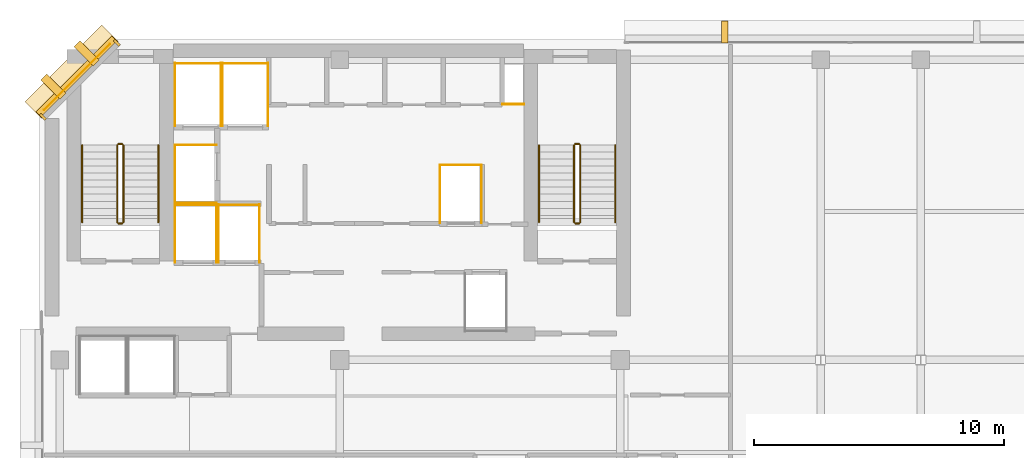
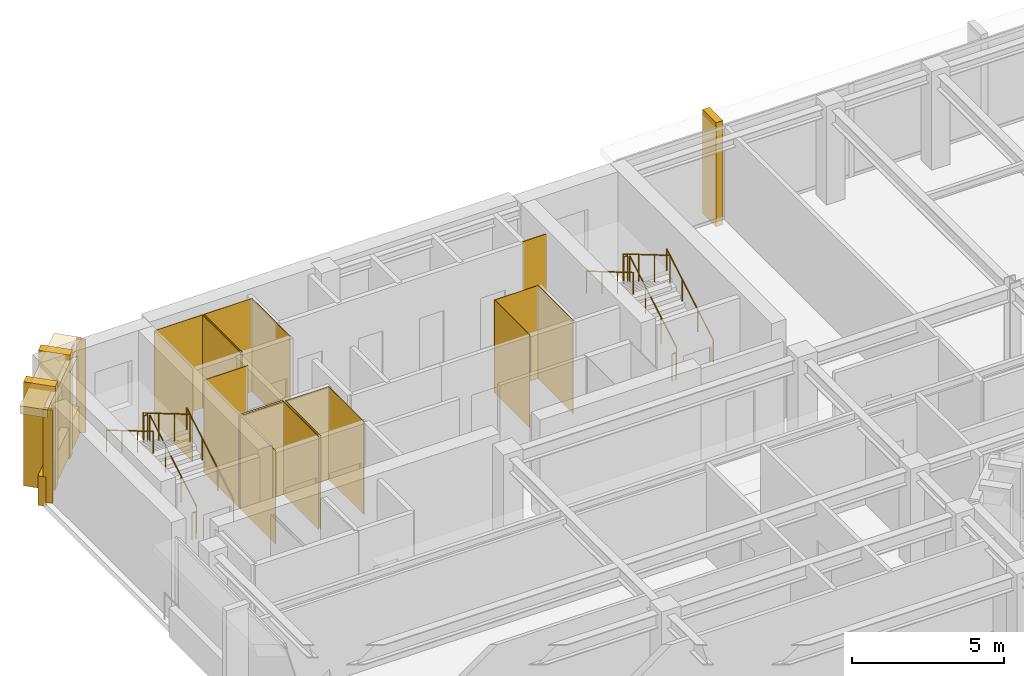
# One storey, part 10 of 11: 27 coverings, 12 railings.
"""IFC4 building model written with IfcOpenShell, lengths in metres."""

from ifc_helpers import new_model, si_unit, direction, frame, origin, origin_2d, place, context, subcontext, project, spatial, polyline, rectangle, circle, outline, extrude, material, layer, layer_set, type_object, element, save


model = new_model("IFC4")

# Units and contexts
model_context = context("Model", 3, precision=1e-05, world=origin(), true_north=direction((0.0, 1.0)))
body_context = subcontext(model_context, "Body", "Model", "MODEL_VIEW")
ifc_project = project(units=[si_unit("LENGTHUNIT", "METRE"), si_unit("AREAUNIT", "SQUARE_METRE"), si_unit("VOLUMEUNIT", "CUBIC_METRE"), si_unit("PLANEANGLEUNIT", "RADIAN"), si_unit("MASSUNIT", "GRAM", prefix="KILO")], contexts=[model_context])

# Site, building, storey
site_placement = place(None, origin())
site = spatial("IfcSite", under=ifc_project, at=site_placement, CompositionType="ELEMENT")
building_placement = place(site_placement, origin())
building = spatial("IfcBuilding", under=site, at=building_placement, Name="Kefirva Bronze Tower", CompositionType="ELEMENT")
storey_placement = place(building_placement, frame((0.0, 0.0, 319.77001953125)))
storey = spatial("IfcBuildingStorey", under=building, at=storey_placement, Name="L78", CompositionType="ELEMENT", Elevation=319.77001953125)

# Coverings
ifc_material_1 = material(Name="Bronze anodised aluminium", Category="aluminium")
ifc_layer_1 = layer(ifc_material_1, 0.02001953125, Name="Bronze anodised aluminium")
ifc_layer_set_1 = layer_set([ifc_layer_1], Name="Bronze anodised aluminium")
covering_type_1 = type_object("IfcCoveringType", Name="Anodised Bronze Spandrel Cladding 20mm", PredefinedType="CLADDING", material=ifc_layer_set_1)
covering_1_placement = place(storey_placement, frame((1.492919921875, 44.507080078125, 3.320068359375), z_axis=(0.0, 0.0, 1.0), x_axis=(-0.707106781187, -0.707106781187, 0.0)))
element("IfcCovering", 1, at=covering_1_placement, inside=storey, type_object=covering_type_1, Name="L78 Bronze Spandrel Cladding 6", PredefinedType="CLADDING", context=body_context, shape_type="SweptSolid", body=[
    extrude(rectangle(XDim=3.719482421875, YDim=0.02001953125, at=origin_2d()), origin(), (0.0, 0.0, 1.0), 0.39990234375),
])
for number, where, z_axis, x_axis, name in (
    (2, (3.08837890625, 45.862060546875, 0.0), (0.0, 0.0, 1.0), (-0.707106781187, -0.707106781187, 0.0), "L78 Facade Joint Closure Panel 6S"),
    (3, (0.137939453125, 42.91162109375, 0.0), (0.0, 0.0, 1.0), (-0.707106781187, -0.707106781187, 0.0), "L78 Facade Joint Closure Panel 6E"),
):
    element("IfcCovering", number, at=place(storey_placement, frame(where, z_axis=z_axis, x_axis=x_axis)), inside=storey, type_object=covering_type_1, Name=name, PredefinedType="CLADDING", context=body_context, shape_type="SweptSolid", body=[
        extrude(rectangle(XDim=0.10009765625, YDim=0.320068359375, at=origin_2d()), origin(), (0.0, 0.0, 1.0), 3.739990234375),
    ])
covering_2_placement = place(storey_placement, frame((1.4716796875, 44.5283203125, -0.16015625), z_axis=(0.0, 0.0, 1.0), x_axis=(-0.707106781187, -0.707106781187, 0.0)))
element("IfcCovering", 4, at=covering_2_placement, inside=storey, type_object=covering_type_1, Name="L78 Streamline Horizontal Spandrel Band 9", PredefinedType="CLADDING", context=body_context, shape_type="SweptSolid", body=[
    extrude(rectangle(XDim=4.28271484375, YDim=0.280029296875, at=origin_2d()), origin(), (0.0, 0.0, 1.0), 1.179931640625),
])
covering_3_placement = place(storey_placement, origin())
element("IfcCovering", 5, at=covering_3_placement, inside=storey, type_object=covering_type_1, Name="L78 Lift FF1 Hoistway Liner N", PredefinedType="CLADDING", context=body_context, shape_type="SweptSolid", body=[
    extrude(outline(polyline([(5.39990234375, 39.389892578125), (7.080078125, 39.389892578125), (7.080078125, 39.409912109375), (5.39990234375, 39.409912109375), (5.39990234375, 39.389892578125)])), origin(), (0.0, 0.0, 1.0), 3.739990234375),
])
covering_4_placement = place(storey_placement, origin())
element("IfcCovering", 6, at=covering_4_placement, inside=storey, type_object=covering_type_1, Name="L78 Lift FF1 Hoistway Liner W", PredefinedType="CLADDING", context=body_context, shape_type="SweptSolid", body=[
    extrude(outline(polyline([(5.409912109375, 37.080078125), (5.429931640625, 37.080078125), (5.429931640625, 39.419921875), (5.409912109375, 39.419921875), (5.409912109375, 37.080078125)])), origin(), (0.0, 0.0, 1.0), 3.739990234375),
])
covering_5_placement = place(storey_placement, origin())
element("IfcCovering", 7, at=covering_5_placement, inside=storey, type_object=covering_type_1, Name="L78 Lift FF1 Hoistway Liner E", PredefinedType="CLADDING", context=body_context, shape_type="SweptSolid", body=[
    extrude(outline(polyline([(7.050048828125, 37.080078125), (7.070068359375, 37.080078125), (7.070068359375, 39.419921875), (7.050048828125, 39.419921875), (7.050048828125, 37.080078125)])), origin(), (0.0, 0.0, 1.0), 3.739990234375),
])
covering_6_placement = place(storey_placement, origin())
element("IfcCovering", 8, at=covering_6_placement, inside=storey, type_object=covering_type_1, Name="L78 Lift FF2 Hoistway Liner N", PredefinedType="CLADDING", context=body_context, shape_type="SweptSolid", body=[
    extrude(outline(polyline([(7.1201171875, 39.389892578125), (8.800048828125, 39.389892578125), (8.800048828125, 39.409912109375), (7.1201171875, 39.409912109375), (7.1201171875, 39.389892578125)])), origin(), (0.0, 0.0, 1.0), 3.739990234375),
])
covering_7_placement = place(storey_placement, origin())
element("IfcCovering", 9, at=covering_7_placement, inside=storey, type_object=covering_type_1, Name="L78 Lift FF2 Hoistway Liner W", PredefinedType="CLADDING", context=body_context, shape_type="SweptSolid", body=[
    extrude(outline(polyline([(7.1298828125, 37.080078125), (7.14990234375, 37.080078125), (7.14990234375, 39.419921875), (7.1298828125, 39.419921875), (7.1298828125, 37.080078125)])), origin(), (0.0, 0.0, 1.0), 3.739990234375),
])
covering_8_placement = place(storey_placement, origin())
element("IfcCovering", 10, at=covering_8_placement, inside=storey, type_object=covering_type_1, Name="L78 Lift FF2 Hoistway Liner E", PredefinedType="CLADDING", context=body_context, shape_type="SweptSolid", body=[
    extrude(outline(polyline([(8.77001953125, 37.080078125), (8.7900390625, 37.080078125), (8.7900390625, 39.419921875), (8.77001953125, 39.419921875), (8.77001953125, 37.080078125)])), origin(), (0.0, 0.0, 1.0), 3.739990234375),
])
covering_9_placement = place(storey_placement, origin())
element("IfcCovering", 11, at=covering_9_placement, inside=storey, type_object=covering_type_1, Name="L78 Lift SV1 Hoistway Liner N", PredefinedType="CLADDING", context=body_context, shape_type="SweptSolid", body=[
    extrude(outline(polyline([(5.39990234375, 45.0400390625), (7.260009765625, 45.0400390625), (7.260009765625, 45.06005859375), (5.39990234375, 45.06005859375), (5.39990234375, 45.0400390625)])), origin(), (0.0, 0.0, 1.0), 3.739990234375),
])
covering_10_placement = place(storey_placement, origin())
element("IfcCovering", 12, at=covering_10_placement, inside=storey, type_object=covering_type_1, Name="L78 Lift SV1 Hoistway Liner W", PredefinedType="CLADDING", context=body_context, shape_type="SweptSolid", body=[
    extrude(outline(polyline([(5.409912109375, 42.530029296875), (5.429931640625, 42.530029296875), (5.429931640625, 45.070068359375), (5.409912109375, 45.070068359375), (5.409912109375, 42.530029296875)])), origin(), (0.0, 0.0, 1.0), 3.739990234375),
])
covering_11_placement = place(storey_placement, origin())
element("IfcCovering", 13, at=covering_11_placement, inside=storey, type_object=covering_type_1, Name="L78 Lift SV1 Hoistway Liner E", PredefinedType="CLADDING", context=body_context, shape_type="SweptSolid", body=[
    extrude(outline(polyline([(7.22998046875, 42.530029296875), (7.25, 42.530029296875), (7.25, 45.070068359375), (7.22998046875, 45.070068359375), (7.22998046875, 42.530029296875)])), origin(), (0.0, 0.0, 1.0), 3.739990234375),
])
covering_12_placement = place(storey_placement, origin())
element("IfcCovering", 14, at=covering_12_placement, inside=storey, type_object=covering_type_1, Name="L78 Lift SV2 Hoistway Liner N", PredefinedType="CLADDING", context=body_context, shape_type="SweptSolid", body=[
    extrude(outline(polyline([(7.280029296875, 45.0400390625), (9.139892578125, 45.0400390625), (9.139892578125, 45.06005859375), (7.280029296875, 45.06005859375), (7.280029296875, 45.0400390625)])), origin(), (0.0, 0.0, 1.0), 3.739990234375),
])
covering_13_placement = place(storey_placement, origin())
element("IfcCovering", 15, at=covering_13_placement, inside=storey, type_object=covering_type_1, Name="L78 Lift SV2 Hoistway Liner W", PredefinedType="CLADDING", context=body_context, shape_type="SweptSolid", body=[
    extrude(outline(polyline([(7.2900390625, 42.530029296875), (7.31005859375, 42.530029296875), (7.31005859375, 45.070068359375), (7.2900390625, 45.070068359375), (7.2900390625, 42.530029296875)])), origin(), (0.0, 0.0, 1.0), 3.739990234375),
])
covering_14_placement = place(storey_placement, origin())
element("IfcCovering", 16, at=covering_14_placement, inside=storey, type_object=covering_type_1, Name="L78 Lift SV2 Hoistway Liner E", PredefinedType="CLADDING", context=body_context, shape_type="SweptSolid", body=[
    extrude(outline(polyline([(9.110107421875, 42.530029296875), (9.1298828125, 42.530029296875), (9.1298828125, 45.070068359375), (9.110107421875, 45.070068359375), (9.110107421875, 42.530029296875)])), origin(), (0.0, 0.0, 1.0), 3.739990234375),
])
covering_15_placement = place(storey_placement, origin())
element("IfcCovering", 17, at=covering_15_placement, inside=storey, type_object=covering_type_1, Name="L78 Lift HP2 Hoistway Liner N", PredefinedType="CLADDING", context=body_context, shape_type="SweptSolid", body=[
    extrude(outline(polyline([(15.97998046875, 40.969970703125), (17.669921875, 40.969970703125), (17.669921875, 40.989990234375), (15.97998046875, 40.989990234375), (15.97998046875, 40.969970703125)])), origin(), (0.0, 0.0, 1.0), 3.739990234375),
])
covering_16_placement = place(storey_placement, origin())
element("IfcCovering", 18, at=covering_16_placement, inside=storey, type_object=covering_type_1, Name="L78 Lift HP2 Hoistway Liner W", PredefinedType="CLADDING", context=body_context, shape_type="SweptSolid", body=[
    extrude(outline(polyline([(15.989990234375, 38.659912109375), (16.010009765625, 38.659912109375), (16.010009765625, 41.0), (15.989990234375, 41.0), (15.989990234375, 38.659912109375)])), origin(), (0.0, 0.0, 1.0), 3.739990234375),
])
covering_17_placement = place(storey_placement, origin())
element("IfcCovering", 19, at=covering_17_placement, inside=storey, type_object=covering_type_1, Name="L78 Lift HP2 Hoistway Liner E", PredefinedType="CLADDING", context=body_context, shape_type="SweptSolid", body=[
    extrude(outline(polyline([(17.639892578125, 38.659912109375), (17.659912109375, 38.659912109375), (17.659912109375, 41.0), (17.639892578125, 41.0), (17.639892578125, 38.659912109375)])), origin(), (0.0, 0.0, 1.0), 3.739990234375),
])
covering_18_placement = place(storey_placement, origin())
element("IfcCovering", 20, at=covering_18_placement, inside=storey, type_object=covering_type_1, Name="L78 Lift HP3 Hoistway Liner N", PredefinedType="CLADDING", context=body_context, shape_type="SweptSolid", body=[
    extrude(outline(polyline([(5.39990234375, 41.77001953125), (7.080078125, 41.77001953125), (7.080078125, 41.7900390625), (5.39990234375, 41.7900390625), (5.39990234375, 41.77001953125)])), origin(), (0.0, 0.0, 1.0), 3.739990234375),
])
covering_19_placement = place(storey_placement, origin())
element("IfcCovering", 21, at=covering_19_placement, inside=storey, type_object=covering_type_1, Name="L78 Lift HP3 Hoistway Liner S", PredefinedType="CLADDING", context=body_context, shape_type="SweptSolid", body=[
    extrude(outline(polyline([(5.39990234375, 39.469970703125), (7.080078125, 39.469970703125), (7.080078125, 39.489990234375), (5.39990234375, 39.489990234375), (5.39990234375, 39.469970703125)])), origin(), (0.0, 0.0, 1.0), 3.739990234375),
])
covering_20_placement = place(storey_placement, origin())
element("IfcCovering", 22, at=covering_20_placement, inside=storey, type_object=covering_type_1, Name="L78 Lift HP3 Hoistway Liner W", PredefinedType="CLADDING", context=body_context, shape_type="SweptSolid", body=[
    extrude(outline(polyline([(5.409912109375, 39.4599609375), (5.429931640625, 39.4599609375), (5.429931640625, 41.800048828125), (5.409912109375, 41.800048828125), (5.409912109375, 39.4599609375)])), origin(), (0.0, 0.0, 1.0), 3.739990234375),
])
covering_21_placement = place(storey_placement, origin())
element("IfcCovering", 23, at=covering_21_placement, inside=storey, type_object=covering_type_1, Name="L78 Core MEP Riser Shaft Liner South", PredefinedType="CLADDING", context=body_context, shape_type="SweptSolid", body=[
    extrude(outline(polyline([(18.47998046875, 43.39990234375), (19.360107421875, 43.39990234375), (19.360107421875, 43.429931640625), (18.47998046875, 43.429931640625), (18.47998046875, 43.39990234375)])), origin(), (0.0, 0.0, 1.0), 3.739990234375),
])

# Railings
ifc_material_2 = material(Name="Stainless steel 316", Category="steel")
railing_type_1 = type_object("IfcRailingType", Name="Interior Stair Guardrail 1100mm", PredefinedType="GUARDRAIL", material=ifc_material_2)
railing_1_placement = place(storey_placement, frame((3.35009765625, 38.699951171875, 0.1650390625)))
element("IfcRailing", 24, at=railing_1_placement, inside=storey, type_object=railing_type_1, Name="L78 ST-1 stair guard 1", PredefinedType="GUARDRAIL", context=body_context, shape_type="SweptSolid", body=[
    extrude(circle(Radius=0.02392578125, at=origin_2d()), frame((0.0, 0.0, 1.076171875), z_axis=(0.0, 0.861551262678, 0.507670583921), x_axis=(-1.0, 0.0, 0.0)), (0.0, 0.0, 1.0), 3.574951171875),
    extrude(circle(Radius=0.02099609375, at=origin_2d()), origin(), (0.0, 0.0, 1.0), 1.052001953125),
    extrude(circle(Radius=0.02099609375, at=origin_2d()), frame((0.0, 1.026611328125, 0.60498046875)), (0.0, 0.0, 1.0), 1.052001953125),
    extrude(circle(Radius=0.02099609375, at=origin_2d()), frame((0.0, 2.053466796875, 1.2099609375)), (0.0, 0.0, 1.0), 1.052001953125),
    extrude(circle(Radius=0.02099609375, at=origin_2d()), frame((0.0, 3.080078125, 1.81494140625)), (0.0, 0.0, 1.0), 1.052001953125),
])
railing_2_placement = place(storey_placement, frame((3.300048828125, 41.830078125, 1.97998046875)))
element("IfcRailing", 25, at=railing_2_placement, inside=storey, type_object=railing_type_1, Name="L78 ST-1 stair guard 2", PredefinedType="GUARDRAIL", context=body_context, shape_type="SweptSolid", body=[
    extrude(circle(Radius=0.02392578125, at=origin_2d()), frame((0.0, 0.0, 1.076171875), z_axis=(-1.0, 0.0, 0.0), x_axis=(0.0, -1.0, 0.0)), (0.0, 0.0, 1.0), 0.150146484375),
    extrude(circle(Radius=0.02099609375, at=origin_2d()), origin(), (0.0, 0.0, 1.0), 1.052001953125),
    extrude(circle(Radius=0.02099609375, at=origin_2d()), frame((-0.150146484375, 0.0, 0.0)), (0.0, 0.0, 1.0), 1.052001953125),
])
railing_3_placement = place(storey_placement, frame((3.10009765625, 41.780029296875, 2.14501953125)))
element("IfcRailing", 26, at=railing_3_placement, inside=storey, type_object=railing_type_1, Name="L78 ST-1 stair guard 3", PredefinedType="GUARDRAIL", context=body_context, shape_type="SweptSolid", body=[
    extrude(circle(Radius=0.02392578125, at=origin_2d()), frame((0.0, 0.0, 1.076171875), z_axis=(0.0, -0.861551262678, 0.507670583921), x_axis=(1.0, 0.0, 0.0)), (0.0, 0.0, 1.0), 3.574951171875),
    extrude(circle(Radius=0.02099609375, at=origin_2d()), origin(), (0.0, 0.0, 1.0), 1.052001953125),
    extrude(circle(Radius=0.02099609375, at=origin_2d()), frame((0.0, -1.026611328125, 0.60498046875)), (0.0, 0.0, 1.0), 1.052001953125),
    extrude(circle(Radius=0.02099609375, at=origin_2d()), frame((0.0, -2.053466796875, 1.2099609375)), (0.0, 0.0, 1.0), 1.052001953125),
    extrude(circle(Radius=0.02099609375, at=origin_2d()), frame((0.0, -3.080078125, 1.81494140625)), (0.0, 0.0, 1.0), 1.052001953125),
])
railing_4_placement = place(storey_placement, frame((3.300048828125, 38.64990234375, 0.0)))
element("IfcRailing", 27, at=railing_4_placement, inside=storey, type_object=railing_type_1, Name="L78 ST-1 stair guard 4", PredefinedType="GUARDRAIL", context=body_context, shape_type="SweptSolid", body=[
    extrude(circle(Radius=0.02392578125, at=origin_2d()), frame((0.0, 0.0, 1.076171875), z_axis=(-1.0, 0.0, 0.0), x_axis=(0.0, -1.0, 0.0)), (0.0, 0.0, 1.0), 0.150146484375),
    extrude(circle(Radius=0.02099609375, at=origin_2d()), origin(), (0.0, 0.0, 1.0), 1.052001953125),
    extrude(circle(Radius=0.02099609375, at=origin_2d()), frame((-0.150146484375, 0.0, 0.0)), (0.0, 0.0, 1.0), 1.052001953125),
])
railing_5_placement = place(storey_placement, frame((21.60009765625, 38.699951171875, 0.1650390625)))
element("IfcRailing", 28, at=railing_5_placement, inside=storey, type_object=railing_type_1, Name="L78 ST-2 stair guard 1", PredefinedType="GUARDRAIL", context=body_context, shape_type="SweptSolid", body=[
    extrude(circle(Radius=0.02392578125, at=origin_2d()), frame((0.0, 0.0, 1.076171875), z_axis=(0.0, 0.861551262678, 0.507670583921), x_axis=(-1.0, 0.0, 0.0)), (0.0, 0.0, 1.0), 3.574951171875),
    extrude(circle(Radius=0.02099609375, at=origin_2d()), origin(), (0.0, 0.0, 1.0), 1.052001953125),
    extrude(circle(Radius=0.02099609375, at=origin_2d()), frame((0.0, 1.026611328125, 0.60498046875)), (0.0, 0.0, 1.0), 1.052001953125),
    extrude(circle(Radius=0.02099609375, at=origin_2d()), frame((0.0, 2.053466796875, 1.2099609375)), (0.0, 0.0, 1.0), 1.052001953125),
    extrude(circle(Radius=0.02099609375, at=origin_2d()), frame((0.0, 3.080078125, 1.81494140625)), (0.0, 0.0, 1.0), 1.052001953125),
])
railing_6_placement = place(storey_placement, frame((21.550048828125, 41.830078125, 1.97998046875)))
element("IfcRailing", 29, at=railing_6_placement, inside=storey, type_object=railing_type_1, Name="L78 ST-2 stair guard 2", PredefinedType="GUARDRAIL", context=body_context, shape_type="SweptSolid", body=[
    extrude(circle(Radius=0.02392578125, at=origin_2d()), frame((0.0, 0.0, 1.076171875), z_axis=(-1.0, 0.0, 0.0), x_axis=(0.0, -1.0, 0.0)), (0.0, 0.0, 1.0), 0.150146484375),
    extrude(circle(Radius=0.02099609375, at=origin_2d()), origin(), (0.0, 0.0, 1.0), 1.052001953125),
    extrude(circle(Radius=0.02099609375, at=origin_2d()), frame((-0.150146484375, 0.0, 0.0)), (0.0, 0.0, 1.0), 1.052001953125),
])
railing_7_placement = place(storey_placement, frame((21.35009765625, 41.780029296875, 2.14501953125)))
element("IfcRailing", 30, at=railing_7_placement, inside=storey, type_object=railing_type_1, Name="L78 ST-2 stair guard 3", PredefinedType="GUARDRAIL", context=body_context, shape_type="SweptSolid", body=[
    extrude(circle(Radius=0.02392578125, at=origin_2d()), frame((0.0, 0.0, 1.076171875), z_axis=(0.0, -0.861551262678, 0.507670583921), x_axis=(1.0, 0.0, 0.0)), (0.0, 0.0, 1.0), 3.574951171875),
    extrude(circle(Radius=0.02099609375, at=origin_2d()), origin(), (0.0, 0.0, 1.0), 1.052001953125),
    extrude(circle(Radius=0.02099609375, at=origin_2d()), frame((0.0, -1.026611328125, 0.60498046875)), (0.0, 0.0, 1.0), 1.052001953125),
    extrude(circle(Radius=0.02099609375, at=origin_2d()), frame((0.0, -2.053466796875, 1.2099609375)), (0.0, 0.0, 1.0), 1.052001953125),
    extrude(circle(Radius=0.02099609375, at=origin_2d()), frame((0.0, -3.080078125, 1.81494140625)), (0.0, 0.0, 1.0), 1.052001953125),
])
railing_8_placement = place(storey_placement, frame((21.550048828125, 38.64990234375, 0.0)))
element("IfcRailing", 31, at=railing_8_placement, inside=storey, type_object=railing_type_1, Name="L78 ST-2 stair guard 4", PredefinedType="GUARDRAIL", context=body_context, shape_type="SweptSolid", body=[
    extrude(circle(Radius=0.02392578125, at=origin_2d()), frame((0.0, 0.0, 1.076171875), z_axis=(-1.0, 0.0, 0.0), x_axis=(0.0, -1.0, 0.0)), (0.0, 0.0, 1.0), 0.150146484375),
    extrude(circle(Radius=0.02099609375, at=origin_2d()), origin(), (0.0, 0.0, 1.0), 1.052001953125),
    extrude(circle(Radius=0.02099609375, at=origin_2d()), frame((-0.150146484375, 0.0, 0.0)), (0.0, 0.0, 1.0), 1.052001953125),
])
railing_type_2 = type_object("IfcRailingType", Name="Stair Pitch Handrail 900mm", PredefinedType="HANDRAIL", material=ifc_material_2)
railing_9_placement = place(storey_placement, frame((4.75, 38.699951171875, 0.1650390625)))
element("IfcRailing", 32, at=railing_9_placement, inside=storey, type_object=railing_type_2, Name="L78 ST-1 stair handrail 1", PredefinedType="HANDRAIL", context=body_context, shape_type="SweptSolid", body=[
    extrude(circle(Radius=0.02392578125, at=origin_2d()), frame((0.0, 0.0, 0.8759765625), z_axis=(0.0, 0.861551262678, 0.507670583921), x_axis=(-1.0, 0.0, 0.0)), (0.0, 0.0, 1.0), 3.574951171875),
    extrude(circle(Radius=0.02099609375, at=origin_2d()), origin(), (0.0, 0.0, 1.0), 0.851806640625),
    extrude(circle(Radius=0.02099609375, at=origin_2d()), frame((0.0, 1.026611328125, 0.60498046875)), (0.0, 0.0, 1.0), 0.851806640625),
    extrude(circle(Radius=0.02099609375, at=origin_2d()), frame((0.0, 2.053466796875, 1.2099609375)), (0.0, 0.0, 1.0), 0.851806640625),
    extrude(circle(Radius=0.02099609375, at=origin_2d()), frame((0.0, 3.080078125, 1.81494140625)), (0.0, 0.0, 1.0), 0.851806640625),
])
railing_10_placement = place(storey_placement, frame((1.699951171875, 41.780029296875, 2.14501953125)))
element("IfcRailing", 33, at=railing_10_placement, inside=storey, type_object=railing_type_2, Name="L78 ST-1 stair handrail 2", PredefinedType="HANDRAIL", context=body_context, shape_type="SweptSolid", body=[
    extrude(circle(Radius=0.02392578125, at=origin_2d()), frame((0.0, 0.0, 0.8759765625), z_axis=(0.0, -0.861551262678, 0.507670583921), x_axis=(1.0, 0.0, 0.0)), (0.0, 0.0, 1.0), 3.574951171875),
    extrude(circle(Radius=0.02099609375, at=origin_2d()), origin(), (0.0, 0.0, 1.0), 0.851806640625),
    extrude(circle(Radius=0.02099609375, at=origin_2d()), frame((0.0, -1.026611328125, 0.60498046875)), (0.0, 0.0, 1.0), 0.851806640625),
    extrude(circle(Radius=0.02099609375, at=origin_2d()), frame((0.0, -2.053466796875, 1.2099609375)), (0.0, 0.0, 1.0), 0.851806640625),
    extrude(circle(Radius=0.02099609375, at=origin_2d()), frame((0.0, -3.080078125, 1.81494140625)), (0.0, 0.0, 1.0), 0.851806640625),
])
railing_11_placement = place(storey_placement, frame((23.0, 38.699951171875, 0.1650390625)))
element("IfcRailing", 34, at=railing_11_placement, inside=storey, type_object=railing_type_2, Name="L78 ST-2 stair handrail 1", PredefinedType="HANDRAIL", context=body_context, shape_type="SweptSolid", body=[
    extrude(circle(Radius=0.02392578125, at=origin_2d()), frame((0.0, 0.0, 0.8759765625), z_axis=(0.0, 0.861551262678, 0.507670583921), x_axis=(-1.0, 0.0, 0.0)), (0.0, 0.0, 1.0), 3.574951171875),
    extrude(circle(Radius=0.02099609375, at=origin_2d()), origin(), (0.0, 0.0, 1.0), 0.851806640625),
    extrude(circle(Radius=0.02099609375, at=origin_2d()), frame((0.0, 1.026611328125, 0.60498046875)), (0.0, 0.0, 1.0), 0.851806640625),
    extrude(circle(Radius=0.02099609375, at=origin_2d()), frame((0.0, 2.053466796875, 1.2099609375)), (0.0, 0.0, 1.0), 0.851806640625),
    extrude(circle(Radius=0.02099609375, at=origin_2d()), frame((0.0, 3.080078125, 1.81494140625)), (0.0, 0.0, 1.0), 0.851806640625),
])
railing_12_placement = place(storey_placement, frame((19.949951171875, 41.780029296875, 2.14501953125)))
element("IfcRailing", 35, at=railing_12_placement, inside=storey, type_object=railing_type_2, Name="L78 ST-2 stair handrail 2", PredefinedType="HANDRAIL", context=body_context, shape_type="SweptSolid", body=[
    extrude(circle(Radius=0.02392578125, at=origin_2d()), frame((0.0, 0.0, 0.8759765625), z_axis=(0.0, -0.861551262678, 0.507670583921), x_axis=(1.0, 0.0, 0.0)), (0.0, 0.0, 1.0), 3.574951171875),
    extrude(circle(Radius=0.02099609375, at=origin_2d()), origin(), (0.0, 0.0, 1.0), 0.851806640625),
    extrude(circle(Radius=0.02099609375, at=origin_2d()), frame((0.0, -1.026611328125, 0.60498046875)), (0.0, 0.0, 1.0), 0.851806640625),
    extrude(circle(Radius=0.02099609375, at=origin_2d()), frame((0.0, -2.053466796875, 1.2099609375)), (0.0, 0.0, 1.0), 0.851806640625),
    extrude(circle(Radius=0.02099609375, at=origin_2d()), frame((0.0, -3.080078125, 1.81494140625)), (0.0, 0.0, 1.0), 0.851806640625),
])

# Coverings
ifc_layer_2 = layer(ifc_material_1, 0.179931640625, Name="Bronze anodised aluminium")
ifc_layer_set_2 = layer_set([ifc_layer_2], Name="Bronze anodised aluminium")
covering_type_2 = type_object("IfcCoveringType", Name="Streamline Bronze Sunshade Eyebrow Cladding 180mm", PredefinedType="CLADDING", material=ifc_layer_set_2)
covering_22_placement = place(storey_placement, frame((1.28076171875, 44.71923828125, 3.419921875), z_axis=(0.0, 0.0, 1.0), x_axis=(-0.707106781187, -0.707106781187, 0.0)))
element("IfcCovering", 36, at=covering_22_placement, inside=storey, type_object=covering_type_2, Name="L78 Streamline Bronze Sunshade Eyebrow 9", PredefinedType="CLADDING", context=body_context, shape_type="SweptSolid", body=[
    extrude(rectangle(XDim=4.322509765625, YDim=0.93994140625, at=origin_2d()), origin(), (0.0, 0.0, 1.0), 0.320068359375),
])
ifc_layer_3 = layer(ifc_material_1, 0.260009765625, Name="Bronze anodised aluminium")
ifc_layer_set_3 = layer_set([ifc_layer_3], Name="Bronze anodised aluminium")
covering_type_3 = type_object("IfcCoveringType", Name="Unbroken Bronze Buttress Fin Cladding 260mm", PredefinedType="CLADDING", material=ifc_layer_set_3)
covering_23_placement = place(storey_placement, frame((27.364013671875, 46.300048828125, -0.22021484375), z_axis=(0.0, 0.0, 1.0), x_axis=(-1.0, 0.0, 0.0)))
element("IfcCovering", 37, at=covering_23_placement, inside=storey, type_object=covering_type_3, Name="L78 Unbroken Vertical Bronze Rib Fin 18", PredefinedType="CLADDING", context=body_context, shape_type="SweptSolid", body=[
    extrude(rectangle(XDim=0.260009765625, YDim=0.8798828125, at=origin_2d()), origin(), (0.0, 0.0, 1.0), 4.179931640625),
])
for number, where, z_axis, x_axis, name in (
    (38, (1.877197265625, 45.44287109375, -0.22021484375), (0.0, 0.0, 1.0), (-0.707106781187, -0.707106781187, 0.0), "L78 Chamfered Corner Buttress Fin Cladding 19"),
    (39, (0.55712890625, 44.122802734375, -0.22021484375), (0.0, 0.0, 1.0), (-0.707106781187, -0.707106781187, 0.0), "L78 Chamfered Corner Buttress Fin Cladding 20"),
):
    element("IfcCovering", number, at=place(storey_placement, frame(where, z_axis=z_axis, x_axis=x_axis)), inside=storey, type_object=covering_type_3, Name=name, PredefinedType="CLADDING", context=body_context, shape_type="SweptSolid", body=[
        extrude(rectangle(XDim=0.340087890625, YDim=1.080078125, at=origin_2d()), origin(), (0.0, 0.0, 1.0), 4.179931640625),
    ])

save(model, "model.ifc")
